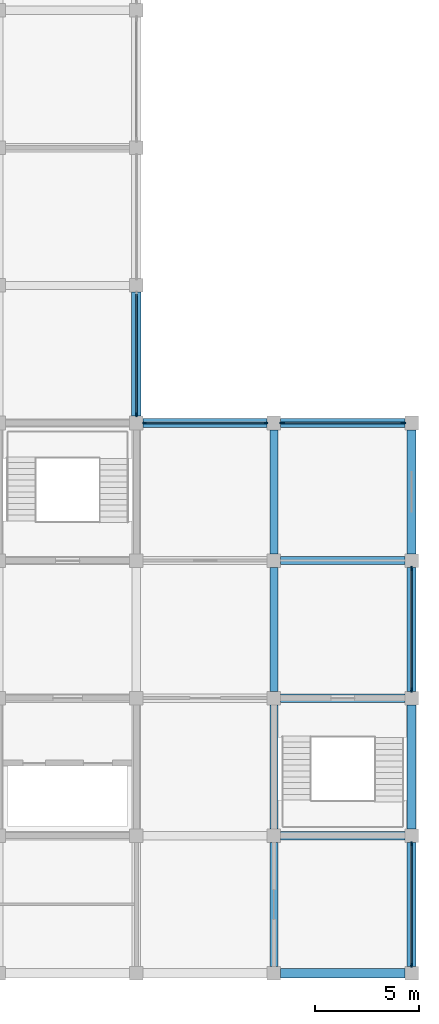
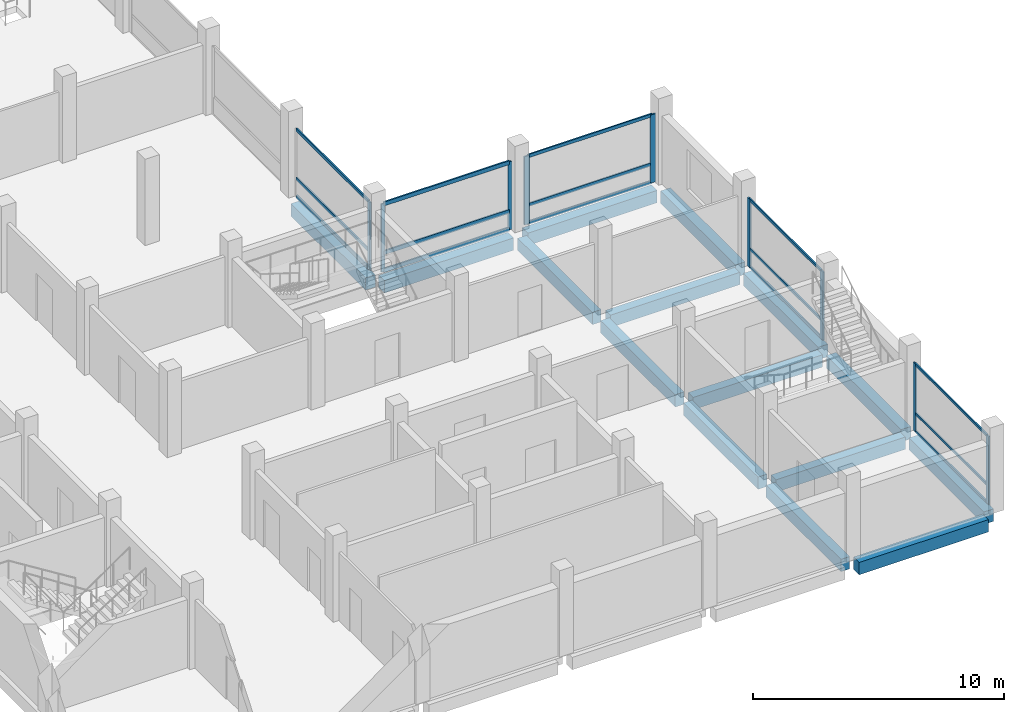
# One storey, part 2 of 9: 24 members, 15 beams, 5 elements without a shape of their own.
"""IFC4 building model written with IfcOpenShell, lengths in metres."""

from ifc_helpers import new_model, si_unit, direction, frame, origin, origin_2d, place, context, subcontext, project, spatial, rectangle, extrude, material, material_profile, profile_set, type_object, element, aggregate, save


model = new_model("IFC4")

# Units and contexts
model_context = context("Model", 3, precision=1e-05, world=origin(), true_north=direction((0.0, 1.0)))
body_context = subcontext(model_context, "Body", "Model", "MODEL_VIEW")
ifc_project = project(units=[si_unit("LENGTHUNIT", "METRE"), si_unit("AREAUNIT", "SQUARE_METRE"), si_unit("VOLUMEUNIT", "CUBIC_METRE"), si_unit("PLANEANGLEUNIT", "RADIAN"), si_unit("MASSUNIT", "GRAM", prefix="KILO")], contexts=[model_context])

# Site, building, storey
site_placement = place(None, origin())
site = spatial("IfcSite", under=ifc_project, at=site_placement, CompositionType="ELEMENT")
building_placement = place(site_placement, origin())
building = spatial("IfcBuilding", under=site, at=building_placement, Name="Rusizi Kubbe Research Institute", CompositionType="ELEMENT")
storey_placement = place(building_placement, frame((0.0, 0.0, 60.60009765625)))
storey = spatial("IfcBuildingStorey", under=building, at=storey_placement, Name="L14", CompositionType="ELEMENT", Elevation=60.60009765625)

# Beams
ifc_material_1 = material(Name="Concrete C40/50", Category="concrete")
ifc_material_profile_1 = material_profile(ifc_material_1, rectangle(XDim=0.39990234375, YDim=0.60009765625, at=origin_2d()), Name="RC400x600")
ifc_profile_set_1 = profile_set([ifc_material_profile_1], Name="Concrete C40/50")
beam_type_1 = type_object("IfcBeamType", Name="BM-RC400x600", PredefinedType="BEAM", material=ifc_profile_set_1)
for number, where, z_axis, x_axis, name in (
    (1, (33.324951171875, 6.60009765625, -0.60009765625), (1.0, 0.0, 0.0), (0.0, 1.0, 0.0), "Grid Beam H L14 (5,1)"),
    (2, (33.324951171875, 13.199951171875, -0.60009765625), (1.0, 0.0, 0.0), (0.0, 1.0, 0.0), "Grid Beam H L14 (5,2)"),
    (3, (33.324951171875, 19.800048828125, -0.60009765625), (1.0, 0.0, 0.0), (0.0, 1.0, 0.0), "Grid Beam H L14 (5,3)"),
    (4, (33.0, 0.324951171875, -0.60009765625), (0.0, 1.0, 0.0), (-1.0, 0.0, 0.0), "Grid Beam V L14 (5,0)"),
    (5, (33.0, 6.925048828125, -0.60009765625), (0.0, 1.0, 0.0), (-1.0, 0.0, 0.0), "Grid Beam V L14 (5,1)"),
):
    element("IfcBeam", number, at=place(storey_placement, frame(where, z_axis=z_axis, x_axis=x_axis)), inside=storey, type_object=beam_type_1, Name=name, PredefinedType="BEAM", context=body_context, shape_type="SweptSolid", body=[
        extrude(rectangle(XDim=0.39990234375, YDim=0.60009765625, at=origin_2d()), origin(), (0.0, 0.0, 1.0), 5.949951171875),
    ])
beam_1_placement = place(storey_placement, frame((33.0, 13.52490234375, -0.60009765625), z_axis=(0.0, 1.0, 0.0), x_axis=(-1.0, 0.0, 0.0)))
element("IfcBeam", 6, at=beam_1_placement, inside=storey, type_object=beam_type_1, Name="Grid Beam V L14 (5,2)", PredefinedType="BEAM", context=body_context, shape_type="SweptSolid", body=[
    extrude(rectangle(XDim=0.39990234375, YDim=0.60009765625, at=origin_2d()), origin(), (0.0, 0.0, 1.0), 5.9501953125),
])
beam_2_placement = place(storey_placement, frame((33.0, 20.125, -0.60009765625), z_axis=(0.0, 1.0, 0.0), x_axis=(-1.0, 0.0, 0.0)))
element("IfcBeam", 7, at=beam_2_placement, inside=storey, type_object=beam_type_1, Name="Grid Beam V L14 (5,3)", PredefinedType="BEAM", context=body_context, shape_type="SweptSolid", body=[
    extrude(rectangle(XDim=0.39990234375, YDim=0.60009765625, at=origin_2d()), origin(), (0.0, 0.0, 1.0), 5.949951171875),
])
ifc_material_2 = material(Name="Concrete C40/50", Category="concrete")
ifc_material_profile_2 = material_profile(ifc_material_2, rectangle(XDim=0.449951171875, YDim=0.60009765625, at=origin_2d()), Name="RC450x600")
ifc_profile_set_2 = profile_set([ifc_material_profile_2], Name="Concrete C40/50")
beam_type_2 = type_object("IfcBeamType", Name="BM-RC450x600", PredefinedType="SPANDREL", material=ifc_profile_set_2)
for number, where, z_axis, x_axis, name in (
    (8, (26.72509765625, 26.39990234375, -0.60009765625), (1.0, 0.0, 0.0), (0.0, 1.0, 0.0), "Grid Beam H L14 (4,4)"),
    (9, (33.324951171875, 0.0, -0.60009765625), (1.0, 0.0, 0.0), (0.0, 1.0, 0.0), "Grid Beam H L14 (5,0)"),
    (10, (33.324951171875, 26.39990234375, -0.60009765625), (1.0, 0.0, 0.0), (0.0, 1.0, 0.0), "Grid Beam H L14 (5,4)"),
    (11, (26.39990234375, 26.72509765625, -0.60009765625), (0.0, 1.0, 0.0), (-1.0, 0.0, 0.0), "Grid Beam V L14 (4,4)"),
    (12, (39.60009765625, 0.324951171875, -0.60009765625), (0.0, 1.0, 0.0), (-1.0, 0.0, 0.0), "Grid Beam V L14 (6,0)"),
    (13, (39.60009765625, 6.925048828125, -0.60009765625), (0.0, 1.0, 0.0), (-1.0, 0.0, 0.0), "Grid Beam V L14 (6,1)"),
):
    element("IfcBeam", number, at=place(storey_placement, frame(where, z_axis=z_axis, x_axis=x_axis)), inside=storey, type_object=beam_type_2, Name=name, PredefinedType="SPANDREL", context=body_context, shape_type="SweptSolid", body=[
        extrude(rectangle(XDim=0.449951171875, YDim=0.60009765625, at=origin_2d()), origin(), (0.0, 0.0, 1.0), 5.949951171875),
    ])
beam_3_placement = place(storey_placement, frame((39.60009765625, 13.52490234375, -0.60009765625), z_axis=(0.0, 1.0, 0.0), x_axis=(-1.0, 0.0, 0.0)))
element("IfcBeam", 14, at=beam_3_placement, inside=storey, type_object=beam_type_2, Name="Grid Beam V L14 (6,2)", PredefinedType="SPANDREL", context=body_context, shape_type="SweptSolid", body=[
    extrude(rectangle(XDim=0.449951171875, YDim=0.60009765625, at=origin_2d()), origin(), (0.0, 0.0, 1.0), 5.9501953125),
])
beam_4_placement = place(storey_placement, frame((39.60009765625, 20.125, -0.60009765625), z_axis=(0.0, 1.0, 0.0), x_axis=(-1.0, 0.0, 0.0)))
element("IfcBeam", 15, at=beam_4_placement, inside=storey, type_object=beam_type_2, Name="Grid Beam V L14 (6,3)", PredefinedType="SPANDREL", context=body_context, shape_type="SweptSolid", body=[
    extrude(rectangle(XDim=0.449951171875, YDim=0.60009765625, at=origin_2d()), origin(), (0.0, 0.0, 1.0), 5.949951171875),
])

# Curtain wall, members
ifc_material_3 = material(Name="Thermally Broken Aluminium and Low-E Glazing", Category="aluminium")
curtain_wall_type = type_object("IfcCurtainWallType", Name="CW-16", PredefinedType="NOTDEFINED", material=ifc_material_3)
curtain_wall_1_placement = place(storey_placement, origin())
curtain_wall_1 = element("IfcCurtainWall", 16, at=curtain_wall_1_placement, inside=storey, type_object=curtain_wall_type, Name="Unitised Facade Curtain Wall CW-L14-H-04-04", PredefinedType="NOTDEFINED")
ifc_material_4 = material(Name="Aluminium Alloy 6063-T6", Category="aluminium")
ifc_material_profile_3 = material_profile(ifc_material_4, rectangle(XDim=0.06005859375, YDim=0.179931640625, at=origin_2d()), Name="ALU-M 60x180")
ifc_profile_set_3 = profile_set([ifc_material_profile_3], Name="Aluminium Alloy 6063-T6")
member_type_1 = type_object("IfcMemberType", Name="ML-02", PredefinedType="MULLION", material=ifc_profile_set_3)
member_1_placement = place(storey_placement, frame((26.784912109375, 26.39990234375, 0.0), z_axis=(0.0, 0.0, 1.0), x_axis=(0.0, 1.0, 0.0)))
member_1 = element("IfcMember", 17, at=member_1_placement, type_object=member_type_1, Name="CW-16 mullion 1", PredefinedType="MULLION", context=body_context, shape_type="SweptSolid", body=[
    extrude(rectangle(XDim=0.06005859375, YDim=0.179931640625, at=origin_2d()), origin(), (0.0, 0.0, 1.0), 3.309814453125),
])
member_2_placement = place(storey_placement, frame((32.614990234375, 26.39990234375, 0.0), z_axis=(0.0, 0.0, 1.0), x_axis=(0.0, 1.0, 0.0)))
member_2 = element("IfcMember", 18, at=member_2_placement, type_object=member_type_1, Name="CW-16 mullion 2", PredefinedType="MULLION", context=body_context, shape_type="SweptSolid", body=[
    extrude(rectangle(XDim=0.06005859375, YDim=0.179931640625, at=origin_2d()), origin(), (0.0, 0.0, 1.0), 3.309814453125),
])

# Curtain wall, member
curtain_wall_2_placement = place(storey_placement, origin())
curtain_wall_2 = element("IfcCurtainWall", 19, at=curtain_wall_2_placement, inside=storey, type_object=curtain_wall_type, Name="Unitised Facade Curtain Wall CW-L14-V-04-04", PredefinedType="NOTDEFINED")
ifc_material_5 = material(Name="Aluminium Alloy 6063-T6", Category="aluminium")
ifc_material_profile_4 = material_profile(ifc_material_5, rectangle(XDim=0.06494140625, YDim=0.199951171875, at=origin_2d()), Name="ALU-M 65x200")
ifc_profile_set_4 = profile_set([ifc_material_profile_4], Name="Aluminium Alloy 6063-T6")
member_type_2 = type_object("IfcMemberType", Name="ML-03", PredefinedType="MULLION", material=ifc_profile_set_4)
member_3_placement = place(storey_placement, frame((26.39990234375, 26.78759765625, 0.0), z_axis=(0.0, 0.0, 1.0), x_axis=(-1.0, 0.0, 0.0)))
member_3 = element("IfcMember", 20, at=member_3_placement, type_object=member_type_2, Name="CW-16 mullion 1", PredefinedType="MULLION", context=body_context, shape_type="SweptSolid", body=[
    extrude(rectangle(XDim=0.06494140625, YDim=0.199951171875, at=origin_2d()), origin(), (0.0, 0.0, 1.0), 3.309814453125),
])

# Curtain wall, members
curtain_wall_3_placement = place(storey_placement, origin())
curtain_wall_3 = element("IfcCurtainWall", 21, at=curtain_wall_3_placement, inside=storey, type_object=curtain_wall_type, Name="Unitised Facade Curtain Wall CW-L14-V-06-00", PredefinedType="NOTDEFINED")
member_4_placement = place(storey_placement, frame((39.60009765625, 0.387451171875, 0.0), z_axis=(0.0, 0.0, 1.0), x_axis=(-1.0, 0.0, 0.0)))
member_4 = element("IfcMember", 22, at=member_4_placement, type_object=member_type_2, Name="CW-16 mullion 1", PredefinedType="MULLION", context=body_context, shape_type="SweptSolid", body=[
    extrude(rectangle(XDim=0.06494140625, YDim=0.199951171875, at=origin_2d()), origin(), (0.0, 0.0, 1.0), 3.309814453125),
])
member_5_placement = place(storey_placement, frame((39.60009765625, 6.21240234375, 0.0), z_axis=(0.0, 0.0, 1.0), x_axis=(-1.0, 0.0, 0.0)))
member_5 = element("IfcMember", 23, at=member_5_placement, type_object=member_type_2, Name="CW-16 mullion 2", PredefinedType="MULLION", context=body_context, shape_type="SweptSolid", body=[
    extrude(rectangle(XDim=0.06494140625, YDim=0.199951171875, at=origin_2d()), origin(), (0.0, 0.0, 1.0), 3.309814453125),
])

curtain_wall_4_placement = place(storey_placement, origin())
curtain_wall_4 = element("IfcCurtainWall", 24, at=curtain_wall_4_placement, inside=storey, type_object=curtain_wall_type, Name="Unitised Facade Curtain Wall CW-L14-V-06-02", PredefinedType="NOTDEFINED")
ifc_material_6 = material(Name="Aluminium Alloy 6063-T6", Category="aluminium")
ifc_material_profile_5 = material_profile(ifc_material_6, rectangle(XDim=0.070068359375, YDim=0.219970703125, at=origin_2d()), Name="ALU-M 70x220")
ifc_profile_set_5 = profile_set([ifc_material_profile_5], Name="Aluminium Alloy 6063-T6")
member_type_3 = type_object("IfcMemberType", Name="ML-04", PredefinedType="MULLION", material=ifc_profile_set_5)
member_6_placement = place(storey_placement, frame((39.60009765625, 13.590087890625, 0.0), z_axis=(0.0, 0.0, 1.0), x_axis=(-1.0, 0.0, 0.0)))
member_6 = element("IfcMember", 25, at=member_6_placement, type_object=member_type_3, Name="CW-16 mullion 1", PredefinedType="MULLION", context=body_context, shape_type="SweptSolid", body=[
    extrude(rectangle(XDim=0.070068359375, YDim=0.219970703125, at=origin_2d()), origin(), (0.0, 0.0, 1.0), 3.309814453125),
])
member_7_placement = place(storey_placement, frame((39.60009765625, 19.409912109375, 0.0), z_axis=(0.0, 0.0, 1.0), x_axis=(-1.0, 0.0, 0.0)))
member_7 = element("IfcMember", 26, at=member_7_placement, type_object=member_type_3, Name="CW-16 mullion 2", PredefinedType="MULLION", context=body_context, shape_type="SweptSolid", body=[
    extrude(rectangle(XDim=0.070068359375, YDim=0.219970703125, at=origin_2d()), origin(), (0.0, 0.0, 1.0), 3.309814453125),
])

curtain_wall_5_placement = place(storey_placement, origin())
curtain_wall_5 = element("IfcCurtainWall", 27, at=curtain_wall_5_placement, inside=storey, type_object=curtain_wall_type, Name="Unitised Facade Curtain Wall CW-L14-H-05-04", PredefinedType="NOTDEFINED")
ifc_material_7 = material(Name="Aluminium Alloy 6063-T6", Category="aluminium")
ifc_material_profile_6 = material_profile(ifc_material_7, rectangle(XDim=0.074951171875, YDim=0.25, at=origin_2d()), Name="ALU-M 75x250")
ifc_profile_set_6 = profile_set([ifc_material_profile_6], Name="Aluminium Alloy 6063-T6")
member_type_4 = type_object("IfcMemberType", Name="ML-05", PredefinedType="MULLION", material=ifc_profile_set_6)
member_8_placement = place(storey_placement, frame((33.392578125, 26.39990234375, 0.0), z_axis=(0.0, 0.0, 1.0), x_axis=(0.0, 1.0, 0.0)))
member_8 = element("IfcMember", 28, at=member_8_placement, type_object=member_type_4, Name="CW-16 mullion 1", PredefinedType="MULLION", context=body_context, shape_type="SweptSolid", body=[
    extrude(rectangle(XDim=0.074951171875, YDim=0.25, at=origin_2d()), origin(), (0.0, 0.0, 1.0), 3.309814453125),
])
member_9_placement = place(storey_placement, frame((39.20751953125, 26.39990234375, 0.0), z_axis=(0.0, 0.0, 1.0), x_axis=(0.0, 1.0, 0.0)))
member_9 = element("IfcMember", 29, at=member_9_placement, type_object=member_type_4, Name="CW-16 mullion 2", PredefinedType="MULLION", context=body_context, shape_type="SweptSolid", body=[
    extrude(rectangle(XDim=0.074951171875, YDim=0.25, at=origin_2d()), origin(), (0.0, 0.0, 1.0), 3.309814453125),
])

# Member
ifc_material_8 = material(Name="Aluminium Alloy 6063-T6", Category="aluminium")
ifc_material_profile_7 = material_profile(ifc_material_8, rectangle(XDim=0.06005859375, YDim=0.1201171875, at=origin_2d()), Name="ALU-T 60x120")
ifc_profile_set_7 = profile_set([ifc_material_profile_7], Name="Aluminium Alloy 6063-T6")
member_type_5 = type_object("IfcMemberType", Name="TR-01", PredefinedType="USERDEFINED", material=ifc_profile_set_7)
member_10_placement = place(storey_placement, frame((39.60009765625, 0.419921875, 0.02978515625), z_axis=(0.0, 1.0, 0.0), x_axis=(-1.0, 0.0, 0.0)))
member_10 = element("IfcMember", 30, at=member_10_placement, type_object=member_type_5, Name="CW-16 transom 1.1", ObjectType="TRANSOM", PredefinedType="USERDEFINED", context=body_context, shape_type="SweptSolid", body=[
    extrude(rectangle(XDim=0.06005859375, YDim=0.1201171875, at=origin_2d()), origin(), (0.0, 0.0, 1.0), 5.760009765625),
])

member_11_placement = place(storey_placement, frame((39.60009765625, 0.419921875, 0.89990234375), z_axis=(0.0, 1.0, 0.0), x_axis=(-1.0, 0.0, 0.0)))
member_11 = element("IfcMember", 31, at=member_11_placement, type_object=member_type_5, Name="CW-16 transom 1.2", ObjectType="TRANSOM", PredefinedType="USERDEFINED", context=body_context, shape_type="SweptSolid", body=[
    extrude(rectangle(XDim=0.06005859375, YDim=0.1201171875, at=origin_2d()), origin(), (0.0, 0.0, 1.0), 5.760009765625),
])

member_12_placement = place(storey_placement, frame((39.60009765625, 0.419921875, 3.27978515625), z_axis=(0.0, 1.0, 0.0), x_axis=(-1.0, 0.0, 0.0)))
member_12 = element("IfcMember", 32, at=member_12_placement, type_object=member_type_5, Name="CW-16 transom 1.3", ObjectType="TRANSOM", PredefinedType="USERDEFINED", context=body_context, shape_type="SweptSolid", body=[
    extrude(rectangle(XDim=0.06005859375, YDim=0.1201171875, at=origin_2d()), origin(), (0.0, 0.0, 1.0), 5.760009765625),
])

aggregate(curtain_wall_3, [member_4, member_5, member_10, member_11, member_12])

ifc_material_9 = material(Name="Aluminium Alloy 6063-T6", Category="aluminium")
ifc_material_profile_8 = material_profile(ifc_material_9, rectangle(XDim=0.06005859375, YDim=0.139892578125, at=origin_2d()), Name="ALU-T 60x140")
ifc_profile_set_8 = profile_set([ifc_material_profile_8], Name="Aluminium Alloy 6063-T6")
member_type_6 = type_object("IfcMemberType", Name="TR-02", PredefinedType="USERDEFINED", material=ifc_profile_set_8)
member_13_placement = place(storey_placement, frame((39.60009765625, 13.625, 0.02978515625), z_axis=(0.0, 1.0, 0.0), x_axis=(-1.0, 0.0, 0.0)))
member_13 = element("IfcMember", 33, at=member_13_placement, type_object=member_type_6, Name="CW-16 transom 1.1", ObjectType="TRANSOM", PredefinedType="USERDEFINED", context=body_context, shape_type="SweptSolid", body=[
    extrude(rectangle(XDim=0.06005859375, YDim=0.139892578125, at=origin_2d()), origin(), (0.0, 0.0, 1.0), 5.75),
])

member_14_placement = place(storey_placement, frame((39.60009765625, 13.625, 0.89990234375), z_axis=(0.0, 1.0, 0.0), x_axis=(-1.0, 0.0, 0.0)))
member_14 = element("IfcMember", 34, at=member_14_placement, type_object=member_type_6, Name="CW-16 transom 1.2", ObjectType="TRANSOM", PredefinedType="USERDEFINED", context=body_context, shape_type="SweptSolid", body=[
    extrude(rectangle(XDim=0.06005859375, YDim=0.139892578125, at=origin_2d()), origin(), (0.0, 0.0, 1.0), 5.75),
])

member_15_placement = place(storey_placement, frame((39.60009765625, 13.625, 3.27978515625), z_axis=(0.0, 1.0, 0.0), x_axis=(-1.0, 0.0, 0.0)))
member_15 = element("IfcMember", 35, at=member_15_placement, type_object=member_type_6, Name="CW-16 transom 1.3", ObjectType="TRANSOM", PredefinedType="USERDEFINED", context=body_context, shape_type="SweptSolid", body=[
    extrude(rectangle(XDim=0.06005859375, YDim=0.139892578125, at=origin_2d()), origin(), (0.0, 0.0, 1.0), 5.75),
])

aggregate(curtain_wall_4, [member_6, member_7, member_13, member_14, member_15])

ifc_material_10 = material(Name="Aluminium Alloy 6063-T6", Category="aluminium")
ifc_material_profile_9 = material_profile(ifc_material_10, rectangle(XDim=0.06494140625, YDim=0.159912109375, at=origin_2d()), Name="ALU-T 65x160")
ifc_profile_set_9 = profile_set([ifc_material_profile_9], Name="Aluminium Alloy 6063-T6")
member_type_7 = type_object("IfcMemberType", Name="TR-03", PredefinedType="USERDEFINED", material=ifc_profile_set_9)
member_16_placement = place(storey_placement, frame((26.39990234375, 26.820068359375, 0.032470703125), z_axis=(0.0, 1.0, 0.0), x_axis=(-1.0, 0.0, 0.0)))
member_16 = element("IfcMember", 36, at=member_16_placement, type_object=member_type_7, Name="CW-16 transom 1.1", ObjectType="TRANSOM", PredefinedType="USERDEFINED", context=body_context, shape_type="SweptSolid", body=[
    extrude(rectangle(XDim=0.06494140625, YDim=0.159912109375, at=origin_2d()), origin(), (0.0, 0.0, 1.0), 5.760009765625),
])

member_17_placement = place(storey_placement, frame((26.39990234375, 26.820068359375, 0.89990234375), z_axis=(0.0, 1.0, 0.0), x_axis=(-1.0, 0.0, 0.0)))
member_17 = element("IfcMember", 37, at=member_17_placement, type_object=member_type_7, Name="CW-16 transom 1.2", ObjectType="TRANSOM", PredefinedType="USERDEFINED", context=body_context, shape_type="SweptSolid", body=[
    extrude(rectangle(XDim=0.06494140625, YDim=0.159912109375, at=origin_2d()), origin(), (0.0, 0.0, 1.0), 5.760009765625),
])

member_18_placement = place(storey_placement, frame((26.39990234375, 26.820068359375, 3.27734375), z_axis=(0.0, 1.0, 0.0), x_axis=(-1.0, 0.0, 0.0)))
member_18 = element("IfcMember", 38, at=member_18_placement, type_object=member_type_7, Name="CW-16 transom 1.3", ObjectType="TRANSOM", PredefinedType="USERDEFINED", context=body_context, shape_type="SweptSolid", body=[
    extrude(rectangle(XDim=0.06494140625, YDim=0.159912109375, at=origin_2d()), origin(), (0.0, 0.0, 1.0), 5.760009765625),
])

aggregate(curtain_wall_2, [member_3, member_16, member_17, member_18])

member_19_placement = place(storey_placement, frame((33.429931640625, 26.39990234375, 0.032470703125), z_axis=(1.0, 0.0, 0.0), x_axis=(0.0, 1.0, 0.0)))
member_19 = element("IfcMember", 39, at=member_19_placement, type_object=member_type_7, Name="CW-16 transom 1.1", ObjectType="TRANSOM", PredefinedType="USERDEFINED", context=body_context, shape_type="SweptSolid", body=[
    extrude(rectangle(XDim=0.06494140625, YDim=0.159912109375, at=origin_2d()), origin(), (0.0, 0.0, 1.0), 5.739990234375),
])

member_20_placement = place(storey_placement, frame((33.429931640625, 26.39990234375, 0.89990234375), z_axis=(1.0, 0.0, 0.0), x_axis=(0.0, 1.0, 0.0)))
member_20 = element("IfcMember", 40, at=member_20_placement, type_object=member_type_7, Name="CW-16 transom 1.2", ObjectType="TRANSOM", PredefinedType="USERDEFINED", context=body_context, shape_type="SweptSolid", body=[
    extrude(rectangle(XDim=0.06494140625, YDim=0.159912109375, at=origin_2d()), origin(), (0.0, 0.0, 1.0), 5.739990234375),
])

member_21_placement = place(storey_placement, frame((33.429931640625, 26.39990234375, 3.27734375), z_axis=(1.0, 0.0, 0.0), x_axis=(0.0, 1.0, 0.0)))
member_21 = element("IfcMember", 41, at=member_21_placement, type_object=member_type_7, Name="CW-16 transom 1.3", ObjectType="TRANSOM", PredefinedType="USERDEFINED", context=body_context, shape_type="SweptSolid", body=[
    extrude(rectangle(XDim=0.06494140625, YDim=0.159912109375, at=origin_2d()), origin(), (0.0, 0.0, 1.0), 5.739990234375),
])

aggregate(curtain_wall_5, [member_8, member_9, member_19, member_20, member_21])

ifc_material_11 = material(Name="Aluminium Alloy 6063-T6", Category="aluminium")
ifc_material_profile_10 = material_profile(ifc_material_11, rectangle(XDim=0.070068359375, YDim=0.18994140625, at=origin_2d()), Name="ALU-T 70x190")
ifc_profile_set_10 = profile_set([ifc_material_profile_10], Name="Aluminium Alloy 6063-T6")
member_type_8 = type_object("IfcMemberType", Name="TR-04", PredefinedType="USERDEFINED", material=ifc_profile_set_10)
member_22_placement = place(storey_placement, frame((26.81494140625, 26.39990234375, 0.034912109375), z_axis=(1.0, 0.0, 0.0), x_axis=(0.0, 1.0, 0.0)))
member_22 = element("IfcMember", 42, at=member_22_placement, type_object=member_type_8, Name="CW-16 transom 1.1", ObjectType="TRANSOM", PredefinedType="USERDEFINED", context=body_context, shape_type="SweptSolid", body=[
    extrude(rectangle(XDim=0.070068359375, YDim=0.18994140625, at=origin_2d()), origin(), (0.0, 0.0, 1.0), 5.77001953125),
])

member_23_placement = place(storey_placement, frame((26.81494140625, 26.39990234375, 0.89990234375), z_axis=(1.0, 0.0, 0.0), x_axis=(0.0, 1.0, 0.0)))
member_23 = element("IfcMember", 43, at=member_23_placement, type_object=member_type_8, Name="CW-16 transom 1.2", ObjectType="TRANSOM", PredefinedType="USERDEFINED", context=body_context, shape_type="SweptSolid", body=[
    extrude(rectangle(XDim=0.070068359375, YDim=0.18994140625, at=origin_2d()), origin(), (0.0, 0.0, 1.0), 5.77001953125),
])

member_24_placement = place(storey_placement, frame((26.81494140625, 26.39990234375, 3.27490234375), z_axis=(1.0, 0.0, 0.0), x_axis=(0.0, 1.0, 0.0)))
member_24 = element("IfcMember", 44, at=member_24_placement, type_object=member_type_8, Name="CW-16 transom 1.3", ObjectType="TRANSOM", PredefinedType="USERDEFINED", context=body_context, shape_type="SweptSolid", body=[
    extrude(rectangle(XDim=0.070068359375, YDim=0.18994140625, at=origin_2d()), origin(), (0.0, 0.0, 1.0), 5.77001953125),
])

aggregate(curtain_wall_1, [member_1, member_2, member_22, member_23, member_24])

save(model, "model.ifc")
